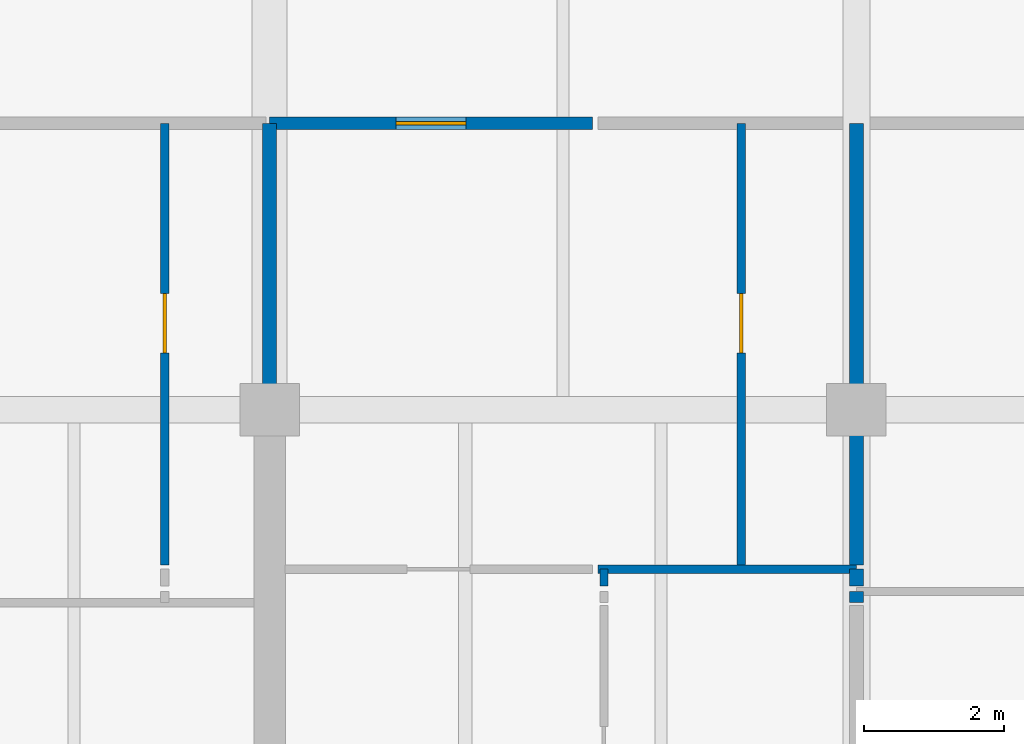
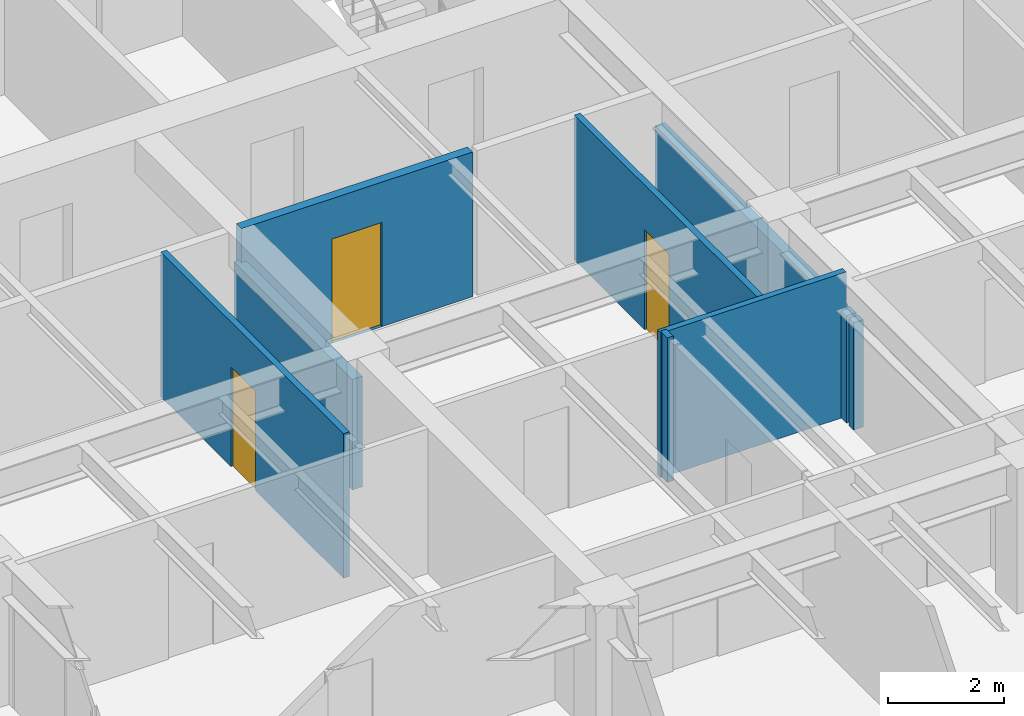
# One storey, part 9 of 19: 9 walls, 3 doors, 3 openings.
"""IFC4 building model written with IfcOpenShell, lengths in metres."""

from ifc_helpers import new_model, si_unit, direction, frame, frame_2d, origin, place, context, subcontext, project, spatial, rectangle, extrude, material, layer, layer_set, type_object, element, fill, save


model = new_model("IFC4")

# Units and contexts
model_context = context("Model", 3, precision=1e-05, world=origin(), true_north=direction((0.0, 1.0)))
body_context = subcontext(model_context, "Body", "Model", "MODEL_VIEW")
ifc_project = project(units=[si_unit("LENGTHUNIT", "METRE"), si_unit("AREAUNIT", "SQUARE_METRE"), si_unit("VOLUMEUNIT", "CUBIC_METRE"), si_unit("PLANEANGLEUNIT", "RADIAN"), si_unit("MASSUNIT", "GRAM", prefix="KILO")], contexts=[model_context])

# Site, building, storey
site_placement = place(None, origin())
site = spatial("IfcSite", under=ifc_project, at=site_placement, CompositionType="ELEMENT")
building_placement = place(site_placement, origin())
building = spatial("IfcBuilding", under=site, at=building_placement, Name="Caelmar Bay Residences", CompositionType="ELEMENT")
storey_placement = place(building_placement, frame((0.0, 0.0, 188.39990234375)))
storey = spatial("IfcBuildingStorey", under=building, at=storey_placement, Name="L52", CompositionType="ELEMENT", Elevation=188.39990234375)

# Wall, opening, door
ifc_material_1 = material(Name="Double-stud acoustic fire-rated gypsum partition 180 mm")
ifc_layer_1 = layer(ifc_material_1, 0.179931640625)
ifc_layer_set_1 = layer_set([ifc_layer_1], Name="Double-stud acoustic fire-rated gypsum partition 180 mm")
wall_type_1 = type_object("IfcWallType", Name="W-COR-200", PredefinedType="PARTITIONING", material=ifc_layer_set_1)
wall_1_placement = place(storey_placement, frame((26.699951171875, 33.5, 0.0), z_axis=(0.0, 0.0, 1.0), x_axis=(1.0, 0.0, 0.0)))
wall_1 = element("IfcWall", 1, at=wall_1_placement, inside=storey, type_object=wall_type_1, Name="L52 Partition Wall H125", PredefinedType="PARTITIONING", context=body_context, shape_type="SweptSolid", body=[
    extrude(rectangle(XDim=4.6201171875, YDim=0.179931640625, at=frame_2d((2.31005859375, 0.0))), origin(), (0.0, 0.0, 1.0), 3.050048828125),
])
opening_1_placement = place(wall_1_placement, frame((1.81005859375, 0.0, 0.0)))
opening_1 = element("IfcOpeningElement", 2, at=opening_1_placement, cuts=wall_1, Name="Opening D-L52-133", PredefinedType="OPENING", context=body_context, shape_type="SweptSolid", body=[
    extrude(rectangle(XDim=1.0, YDim=2.199951171875, at=frame_2d((0.5, 1.10009765625))), frame((0.0, 0.099853515625, 0.0), z_axis=(0.0, -1.0, 0.0), x_axis=(1.0, 0.0, 0.0)), (0.0, 0.0, 1.0), 0.199951171875),
])
ifc_material_2 = material(Name="Fire-rated steel and walnut architectural door assembly", Category="steel")
ifc_layer_2 = layer(ifc_material_2, 0.050048828125)
ifc_layer_set_2 = layer_set([ifc_layer_2], Name="Fire-rated steel and walnut architectural door assembly")
door_type_1 = type_object("IfcDoorType", Name="D-UNIT-1000", OperationType="NOTDEFINED", PredefinedType="DOOR", material=ifc_layer_set_2)
door_1_placement = place(opening_1_placement, origin())
door_1 = element("IfcDoor", 3, at=door_1_placement, inside=storey, type_object=door_type_1, Name="L52 Residence 02 Apartment Hall Door", OperationType="SINGLE_SWING_LEFT", OverallHeight=2.199951171875, OverallWidth=1.0, PredefinedType="DOOR", context=body_context, shape_type="SweptSolid", body=[
    extrude(rectangle(XDim=1.0, YDim=2.199951171875, at=frame_2d((0.5, 1.10009765625))), frame((0.0, 0.02490234375, 0.0), z_axis=(0.0, -1.0, 0.0), x_axis=(1.0, 0.0, 0.0)), (0.0, 0.0, 1.0), 0.050048828125),
])
fill(opening_1, door_1)

ifc_material_3 = material(Name="Acoustic metal-stud gypsum partition 120 mm")
ifc_layer_3 = layer(ifc_material_3, 0.1201171875)
ifc_layer_set_3 = layer_set([ifc_layer_3], Name="Acoustic metal-stud gypsum partition 120 mm")
wall_type_2 = type_object("IfcWallType", Name="W-PRT-120", PredefinedType="PARTITIONING", material=ifc_layer_set_3)
wall_2_placement = place(storey_placement, frame((25.199951171875, 27.179931640625, 0.0), z_axis=(0.0, 0.0, 1.0), x_axis=(0.0, 1.0, 0.0)))
wall_2 = element("IfcWall", 4, at=wall_2_placement, inside=storey, type_object=wall_type_2, Name="L52 Partition Wall V024", PredefinedType="PARTITIONING", context=body_context, shape_type="SweptSolid", body=[
    extrude(rectangle(XDim=6.320068359375, YDim=0.1201171875, at=frame_2d((3.16015625, 0.0))), origin(), (0.0, 0.0, 1.0), 3.050048828125),
])
opening_2_placement = place(wall_2_placement, frame((3.034912109375, 0.0, 0.0)))
opening_2 = element("IfcOpeningElement", 5, at=opening_2_placement, cuts=wall_2, Name="Opening D-L52-130", PredefinedType="OPENING", context=body_context, shape_type="SweptSolid", body=[
    extrude(rectangle(XDim=0.85009765625, YDim=2.10009765625, at=frame_2d((0.425048828125, 1.050048828125))), frame((0.0, 0.070068359375, 0.0), z_axis=(0.0, -1.0, 0.0), x_axis=(1.0, 0.0, 0.0)), (0.0, 0.0, 1.0), 0.14013671875),
])
ifc_material_4 = material(Name="Solid walnut timber interior door leaf and frame", Category="wood")
ifc_layer_4 = layer(ifc_material_4, 0.050048828125)
ifc_layer_set_4 = layer_set([ifc_layer_4], Name="Solid walnut timber interior door leaf and frame")
door_type_2 = type_object("IfcDoorType", Name="D-BATH-850", OperationType="NOTDEFINED", PredefinedType="DOOR", material=ifc_layer_set_4)
door_2_placement = place(opening_2_placement, origin())
door_2 = element("IfcDoor", 6, at=door_2_placement, inside=storey, type_object=door_type_2, Name="L52 Residence 01 En-Suite Bathroom 1 Door", OperationType="SINGLE_SWING_RIGHT", OverallHeight=2.10009765625, OverallWidth=0.85009765625, PredefinedType="DOOR", context=body_context, shape_type="SweptSolid", body=[
    extrude(rectangle(XDim=0.85009765625, YDim=2.10009765625, at=frame_2d((0.425048828125, 1.050048828125))), frame((0.0, 0.02490234375, 0.0), z_axis=(0.0, -1.0, 0.0), x_axis=(1.0, 0.0, 0.0)), (0.0, 0.0, 1.0), 0.050048828125),
])
fill(opening_2, door_2)

# Wall
wall_3_placement = place(storey_placement, frame((31.486083984375, 26.8798828125, 0.0), z_axis=(0.0, 0.0, 1.0), x_axis=(0.0, 1.0, 0.0)))
element("IfcWall", 7, at=wall_3_placement, inside=storey, type_object=wall_type_2, Name="L52 Partition Wall V038", PredefinedType="PARTITIONING", context=body_context, shape_type="SweptSolid", body=[
    extrude(rectangle(XDim=0.240234375, YDim=0.1201171875, at=frame_2d((0.1201171875, 0.0))), origin(), (0.0, 0.0, 1.0), 3.050048828125),
])

# Wall, opening, door
wall_4_placement = place(storey_placement, frame((33.449951171875, 27.179931640625, 0.0), z_axis=(0.0, 0.0, 1.0), x_axis=(0.0, 1.0, 0.0)))
wall_4 = element("IfcWall", 8, at=wall_4_placement, inside=storey, type_object=wall_type_2, Name="L52 Partition Wall V039", PredefinedType="PARTITIONING", context=body_context, shape_type="SweptSolid", body=[
    extrude(rectangle(XDim=6.320068359375, YDim=0.1201171875, at=frame_2d((3.16015625, 0.0))), origin(), (0.0, 0.0, 1.0), 3.050048828125),
])
opening_3_placement = place(wall_4_placement, frame((3.034912109375, 0.0, 0.0)))
opening_3 = element("IfcOpeningElement", 9, at=opening_3_placement, cuts=wall_4, Name="Opening D-L52-134", PredefinedType="OPENING", context=body_context, shape_type="SweptSolid", body=[
    extrude(rectangle(XDim=0.85009765625, YDim=2.10009765625, at=frame_2d((0.425048828125, 1.050048828125))), frame((0.0, 0.070068359375, 0.0), z_axis=(0.0, -1.0, 0.0), x_axis=(1.0, 0.0, 0.0)), (0.0, 0.0, 1.0), 0.14013671875),
])
door_3_placement = place(opening_3_placement, origin())
door_3 = element("IfcDoor", 10, at=door_3_placement, inside=storey, type_object=door_type_2, Name="L52 Residence 02 Bathroom Door", OperationType="SINGLE_SWING_RIGHT", OverallHeight=2.10009765625, OverallWidth=0.85009765625, PredefinedType="DOOR", context=body_context, shape_type="SweptSolid", body=[
    extrude(rectangle(XDim=0.85009765625, YDim=2.10009765625, at=frame_2d((0.425048828125, 1.050048828125))), frame((0.0, 0.02490234375, 0.0), z_axis=(0.0, -1.0, 0.0), x_axis=(1.0, 0.0, 0.0)), (0.0, 0.0, 1.0), 0.050048828125),
])
fill(opening_3, door_3)

# Walls
wall_5_placement = place(storey_placement, frame((31.39990234375, 27.1201171875, 0.0), z_axis=(0.0, 0.0, 1.0), x_axis=(1.0, 0.0, 0.0)))
element("IfcWall", 11, at=wall_5_placement, inside=storey, type_object=wall_type_2, Name="L52 Partition Wall H121", PredefinedType="PARTITIONING", context=body_context, shape_type="SweptSolid", body=[
    extrude(rectangle(XDim=3.7001953125, YDim=0.1201171875, at=frame_2d((1.85009765625, 0.0))), origin(), (0.0, 0.0, 1.0), 3.050048828125),
])
ifc_material_5 = material(Name="Acoustic twin-stud fire-rated inter-tenancy partition 200 mm")
ifc_layer_5 = layer(ifc_material_5, 0.199951171875)
ifc_layer_set_5 = layer_set([ifc_layer_5], Name="Acoustic twin-stud fire-rated inter-tenancy partition 200 mm")
wall_type_3 = type_object("IfcWallType", Name="W-PTY-200", PredefinedType="PARTITIONING", material=ifc_layer_set_5)
wall_6_placement = place(storey_placement, frame((26.699951171875, 29.405029296875, 0.0), z_axis=(0.0, 0.0, 1.0), x_axis=(0.0, 1.0, 0.0)))
element("IfcWall", 12, at=wall_6_placement, inside=storey, type_object=wall_type_3, Name="L52 Partition Wall V029", PredefinedType="PARTITIONING", context=body_context, shape_type="SweptSolid", body=[
    extrude(rectangle(XDim=4.094970703125, YDim=0.199951171875, at=frame_2d((2.04736328125, 0.0))), origin(), (0.0, 0.0, 1.0), 2.335205078125),
])
wall_7_placement = place(storey_placement, frame((35.10009765625, 26.639892578125, 0.0), z_axis=(0.0, 0.0, 1.0), x_axis=(0.0, 1.0, 0.0)))
element("IfcWall", 13, at=wall_7_placement, inside=storey, type_object=wall_type_3, Name="L52 Partition Wall V044", PredefinedType="PARTITIONING", context=body_context, shape_type="SweptSolid", body=[
    extrude(rectangle(XDim=0.16015625, YDim=0.199951171875, at=frame_2d((0.080078125, 0.0))), origin(), (0.0, 0.0, 1.0), 2.26318359375),
])
wall_8_placement = place(storey_placement, frame((35.10009765625, 26.8798828125, 0.0), z_axis=(0.0, 0.0, 1.0), x_axis=(0.0, 1.0, 0.0)))
element("IfcWall", 14, at=wall_8_placement, inside=storey, type_object=wall_type_3, Name="L52 Partition Wall V045", PredefinedType="PARTITIONING", context=body_context, shape_type="SweptSolid", body=[
    extrude(rectangle(XDim=0.240234375, YDim=0.199951171875, at=frame_2d((0.1201171875, 0.0))), origin(), (0.0, 0.0, 1.0), 2.26318359375),
])
wall_9_placement = place(storey_placement, frame((35.10009765625, 27.179931640625, 0.0), z_axis=(0.0, 0.0, 1.0), x_axis=(0.0, 1.0, 0.0)))
element("IfcWall", 15, at=wall_9_placement, inside=storey, type_object=wall_type_3, Name="L52 Partition Wall V046", PredefinedType="PARTITIONING", context=body_context, shape_type="SweptSolid", body=[
    extrude(rectangle(XDim=6.320068359375, YDim=0.199951171875, at=frame_2d((3.16015625, 0.0))), origin(), (0.0, 0.0, 1.0), 2.26318359375),
])

save(model, "model.ifc")
